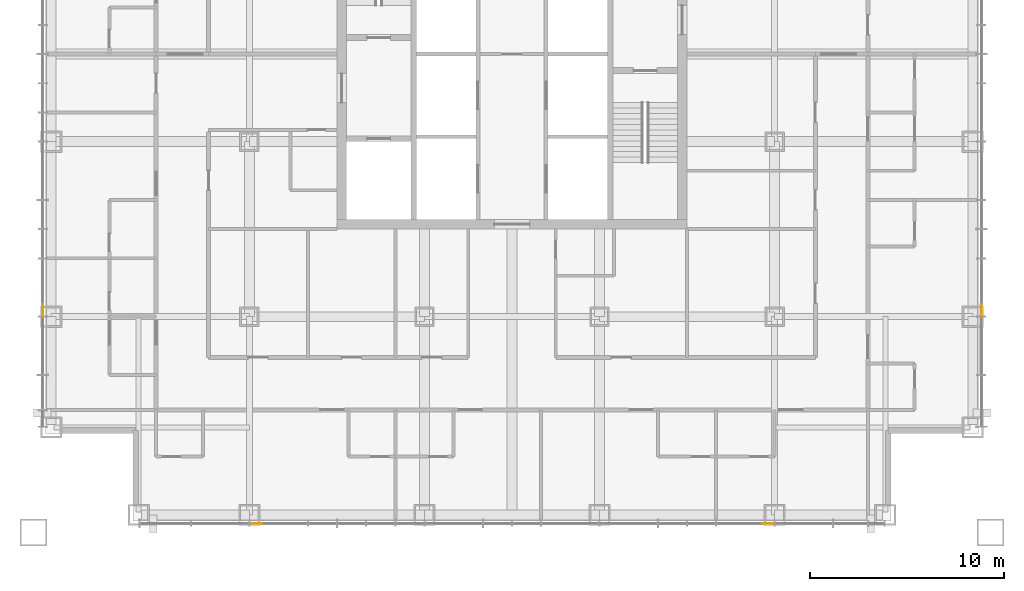
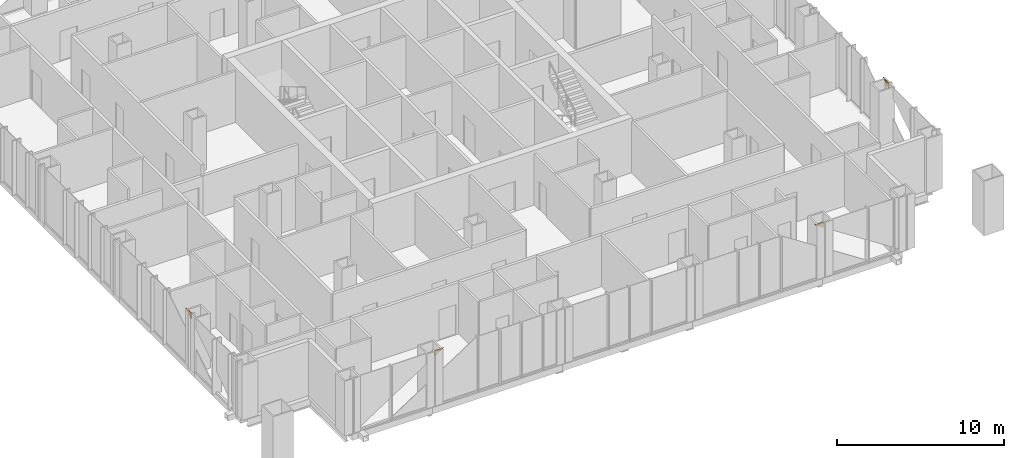
# One storey, part 15 of 16: 4 coverings.
"""IFC4 building model written with IfcOpenShell, lengths in metres."""

from ifc_helpers import new_model, si_unit, direction, frame, origin, place, context, subcontext, project, spatial, polyline, outline, extrude, material, layer, layer_set, type_object, element, save


model = new_model("IFC4")

# Units and contexts
model_context = context("Model", 3, precision=1e-05, world=origin(), true_north=direction((0.0, 1.0)))
body_context = subcontext(model_context, "Body", "Model", "MODEL_VIEW")
ifc_project = project(units=[si_unit("LENGTHUNIT", "METRE"), si_unit("AREAUNIT", "SQUARE_METRE"), si_unit("VOLUMEUNIT", "CUBIC_METRE"), si_unit("PLANEANGLEUNIT", "RADIAN"), si_unit("MASSUNIT", "GRAM", prefix="KILO")], contexts=[model_context])

# Site, building, storey
site_placement = place(None, origin())
site = spatial("IfcSite", under=ifc_project, at=site_placement, CompositionType="ELEMENT")
building_placement = place(site_placement, origin())
building = spatial("IfcBuilding", under=site, at=building_placement, Name="Malebo Sky Hospital", CompositionType="ELEMENT")
storey_placement = place(building_placement, frame((0.0, 0.0, 144.0)))
storey = spatial("IfcBuildingStorey", under=building, at=storey_placement, Name="L34", CompositionType="ELEMENT", Elevation=144.0)

# Coverings
ifc_material = material(Name="Anodised aluminium, natural silver insulated infill panel", Category="aluminium")
ifc_layer = layer(ifc_material, 0.0400390625)
ifc_layer_set = layer_set([ifc_layer], Name="BRACE INFILL PANEL 40")
covering_type = type_object("IfcCoveringType", Name="BRACE INFILL PANEL 40", PredefinedType="CLADDING", material=ifc_layer_set)
for number, where, z_axis, x_axis, name in (
    (1, (35.864990234375, 48.844970703125, 3.590087890625), (0.0, 0.0, 1.0), (0.0, 1.0, 0.0), "Brace infill panel 4.1"),
    (2, (73.155029296875, 37.864990234375, 3.590087890625), (0.0, 0.0, 1.0), (-1.0, 0.0, 0.0), "Brace infill panel 4.1"),
):
    element("IfcCovering", number, at=place(storey_placement, frame(where, z_axis=z_axis, x_axis=x_axis)), inside=storey, type_object=covering_type, Name=name, PredefinedType="CLADDING", context=body_context, shape_type="SweptSolid", body=[
        extrude(outline(polyline([(-0.307373046875, 0.0), (0.307373046875, 0.39990234375), (-0.307373046875, 0.39990234375), (-0.307373046875, 0.0)])), frame((0.0, 0.02001953125, 0.0), z_axis=(0.0, -1.0, 0.0), x_axis=(1.0, 0.0, 0.0)), (0.0, 0.0, 1.0), 0.0400390625),
    ])
for number, where, z_axis, x_axis, name in (
    (3, (46.844970703125, 37.864990234375, 3.590087890625), (0.0, 0.0, 1.0), (-1.0, 0.0, 0.0), "Brace infill panel 16.1"),
    (4, (84.135009765625, 48.844970703125, 3.590087890625), (0.0, 0.0, 1.0), (0.0, -1.0, 0.0), "Brace infill panel 16.1"),
):
    element("IfcCovering", number, at=place(storey_placement, frame(where, z_axis=z_axis, x_axis=x_axis)), inside=storey, type_object=covering_type, Name=name, PredefinedType="CLADDING", context=body_context, shape_type="SweptSolid", body=[
        extrude(outline(polyline([(0.307373046875, 0.0), (0.307373046875, 0.39990234375), (-0.307373046875, 0.39990234375), (0.307373046875, 0.0)])), frame((0.0, 0.02001953125, 0.0), z_axis=(0.0, -1.0, 0.0), x_axis=(1.0, 0.0, 0.0)), (0.0, 0.0, 1.0), 0.0400390625),
    ])

save(model, "model.ifc")
